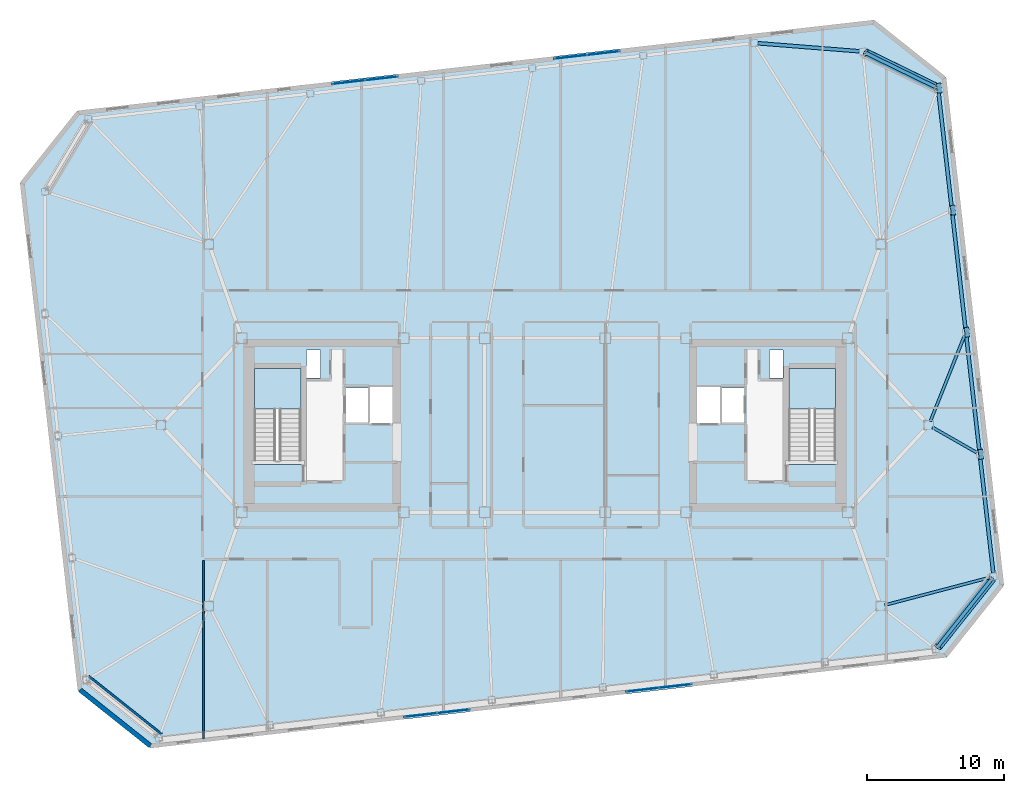
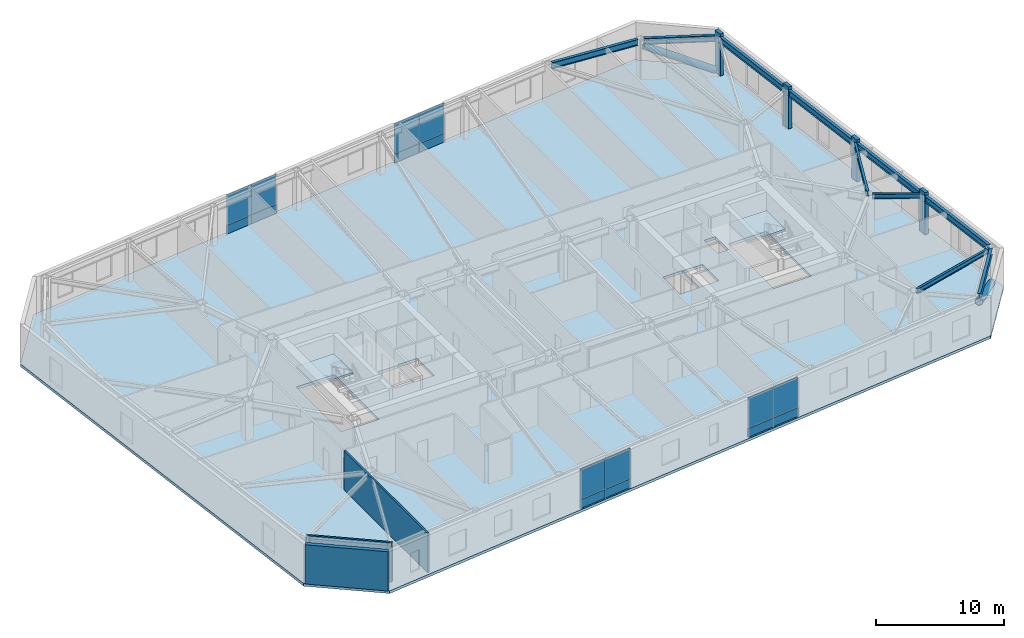
# One storey, part 11 of 19: 16 plates, 10 beams, 6 members, 3 slabs, 3 walls, 6 elements without a shape of their own.
"""IFC4 building model written with IfcOpenShell, lengths in metres."""

from ifc_helpers import new_model, si_unit, direction, frame, frame_2d, origin, origin_2d, place, context, subcontext, project, spatial, polyline, rectangle, hollow_circle, i_section, outline, extrude, material, layer, layer_set, material_profile, profile_set, type_object, element, aggregate, save


model = new_model("IFC4")

# Units and contexts
model_context = context("Model", 3, precision=1e-05, world=origin(), true_north=direction((0.0, 1.0)))
body_context = subcontext(model_context, "Body", "Model", "MODEL_VIEW")
ifc_project = project(units=[si_unit("LENGTHUNIT", "METRE"), si_unit("AREAUNIT", "SQUARE_METRE"), si_unit("VOLUMEUNIT", "CUBIC_METRE"), si_unit("PLANEANGLEUNIT", "RADIAN"), si_unit("MASSUNIT", "GRAM", prefix="KILO")], contexts=[model_context])

# Site, building, storey
site_placement = place(None, origin())
site = spatial("IfcSite", under=ifc_project, at=site_placement, CompositionType="ELEMENT")
building_placement = place(site_placement, origin())
building = spatial("IfcBuilding", under=site, at=building_placement, Name="Tavrogorsk Clinical Tower", CompositionType="ELEMENT")
storey_placement = place(building_placement, frame((0.0, 0.0, 263.0)))
storey = spatial("IfcBuildingStorey", under=building, at=storey_placement, Name="L61", CompositionType="ELEMENT", Elevation=263.0)

# Members
ifc_material_1 = material(Name="Structural steel S440", Category="steel")
ifc_material_profile_1 = material_profile(ifc_material_1, hollow_circle(Radius=0.304931640625, WallThickness=0.02490234375, at=origin_2d()), Name="CHS-610x25")
ifc_profile_set_1 = profile_set([ifc_material_profile_1], Name="Structural steel S440")
member_type_1 = type_object("IfcMemberType", Name="ExoBrace_CHS610", PredefinedType="BRACE", material=ifc_profile_set_1)
member_1_placement = place(storey_placement, frame((32.5859375, -11.2197265625, 0.398193359375), z_axis=(-0.575789482159, -0.723851679348, 0.380138420237), x_axis=(0.782601910855, -0.622522488852, 0.0)))
element("IfcMember", 1, at=member_1_placement, inside=storey, type_object=member_type_1, Name="L61 Corner Exoskeleton Brace S8-E1", PredefinedType="BRACE", context=body_context, shape_type="SweptSolid", body=[
    extrude(hollow_circle(Radius=0.304931640625, WallThickness=0.02490234375, at=origin_2d()), origin(), (0.0, 0.0, 1.0), 6.8232421875),
])
member_2_placement = place(storey_placement, frame((28.46630859375, 24.679443359375, 0.4072265625), z_axis=(-0.817526882464, 0.398699450942, 0.41555811178), x_axis=(-0.438340015424, -0.898809229413, 0.0)))
element("IfcMember", 2, at=member_2_placement, inside=storey, type_object=member_type_1, Name="L61 Corner Exoskeleton Brace E5-N1", PredefinedType="BRACE", context=body_context, shape_type="SweptSolid", body=[
    extrude(hollow_circle(Radius=0.304931640625, WallThickness=0.02490234375, at=origin_2d()), origin(), (0.0, 0.0, 1.0), 6.1982421875),
])

# Beams
ifc_material_2 = material(Name="Structural steel S355", Category="steel")
ifc_material_profile_2 = material_profile(ifc_material_2, i_section(OverallWidth=0.199951171875, OverallDepth=0.449951171875, WebThickness=0.011474609375, FlangeThickness=0.01806640625, at=origin_2d()), Name="B-450x200x11.5x18")
ifc_profile_set_2 = profile_set([ifc_material_profile_2], Name="Structural steel S355")
beam_type_1 = type_object("IfcBeamType", Name="FloorBeam_B450", PredefinedType="BEAM", material=ifc_profile_set_2)
beam_1_placement = place(storey_placement, frame((24.7998046875, -13.12109375, 3.514892578125), z_axis=(0.967072149487, 0.254502372652, 0.0), x_axis=(-0.254502372652, 0.967072149487, 0.0)))
element("IfcBeam", 3, at=beam_1_placement, inside=storey, type_object=beam_type_1, Name="L61 Radial Floor Beam E1", PredefinedType="BEAM", context=body_context, shape_type="SweptSolid", body=[
    extrude(i_section(OverallWidth=0.199951171875, OverallDepth=0.449951171875, WebThickness=0.011474609375, FlangeThickness=0.01806640625, at=origin_2d()), origin(), (0.0, 0.0, 1.0), 7.94677734375),
])
beam_2_placement = place(storey_placement, frame((28.26904296875, -0.154052734375, 3.514892578125), z_axis=(0.867782232017, -0.49694466271, 0.0), x_axis=(0.49694466271, 0.867782232017, 0.0)))
element("IfcBeam", 4, at=beam_2_placement, inside=storey, type_object=beam_type_1, Name="L61 Radial Floor Beam E2", PredefinedType="BEAM", context=body_context, shape_type="SweptSolid", body=[
    extrude(i_section(OverallWidth=0.199951171875, OverallDepth=0.449951171875, WebThickness=0.011474609375, FlangeThickness=0.01806640625, at=origin_2d()), origin(), (0.0, 0.0, 1.0), 3.718994140625),
])
beam_3_placement = place(storey_placement, frame((28.114990234375, 0.287841796875, 3.514892578125), z_axis=(0.371052625529, 0.928611839838, 0.0), x_axis=(-0.928611839838, 0.371052625529, 0.0)))
element("IfcBeam", 5, at=beam_3_placement, inside=storey, type_object=beam_type_1, Name="L61 Radial Floor Beam E3", PredefinedType="BEAM", context=body_context, shape_type="SweptSolid", body=[
    extrude(i_section(OverallWidth=0.199951171875, OverallDepth=0.449951171875, WebThickness=0.011474609375, FlangeThickness=0.01806640625, at=origin_2d()), origin(), (0.0, 0.0, 1.0), 6.724365234375),
])

# Members
ifc_material_3 = material(Name="Precast concrete B45 with limestone cladding", Category="masonry")
ifc_material_profile_3 = material_profile(ifc_material_3, rectangle(XDim=0.320068359375, YDim=0.719970703125, at=origin_2d()), Name="LIMESTONE-FIN-320x720")
ifc_profile_set_3 = profile_set([ifc_material_profile_3], Name="Precast concrete B45 with limestone cladding")
member_type_2 = type_object("IfcMemberType", Name="LimestonePleatFin_320x720", PredefinedType="USERDEFINED", material=ifc_profile_set_3)
for number, where, z_axis, x_axis, name in (
    (6, (31.799560546875, -2.121337890625, 0.0), (0.0, 0.0, 1.0), (0.993571855677, 0.113203213768, 0.0), "L61 E Pleated Stone Fin 1"),
    (7, (30.785400390625, 6.781005859375, 0.0), (0.0, 0.0, 1.0), (0.993571855677, 0.113203213768, 0.0), "L61 E Pleated Stone Fin 2"),
    (8, (29.77099609375, 15.683349609375, 0.0), (0.0, 0.0, 1.0), (0.993571855677, 0.113203213768, 0.0), "L61 E Pleated Stone Fin 3"),
    (9, (28.756591796875, 24.585693359375, 0.0), (0.0, 0.0, 1.0), (0.993571855677, 0.113203213768, 0.0), "L61 E Pleated Stone Fin 4"),
):
    element("IfcMember", number, at=place(storey_placement, frame(where, z_axis=z_axis, x_axis=x_axis)), inside=storey, type_object=member_type_2, Name=name, ObjectType="FIN", PredefinedType="USERDEFINED", context=body_context, shape_type="SweptSolid", body=[
        extrude(rectangle(XDim=0.320068359375, YDim=0.719970703125, at=origin_2d()), origin(), (0.0, 0.0, 1.0), 4.0),
    ])

# Beams
ifc_material_4 = material(Name="Structural steel S390", Category="steel")
ifc_material_profile_4 = material_profile(ifc_material_4, i_section(OverallWidth=0.260009765625, OverallDepth=0.60009765625, WebThickness=0.014892578125, FlangeThickness=0.02392578125, at=origin_2d()), Name="B-600x260x15x24")
ifc_profile_set_4 = profile_set([ifc_material_profile_4], Name="Structural steel S390")
beam_type_2 = type_object("IfcBeamType", Name="SpandrelBeam_B600", PredefinedType="SPANDREL", material=ifc_profile_set_4)
beam_4_placement = place(storey_placement, frame((28.669189453125, -16.1435546875, 3.43994140625), z_axis=(0.622513813188, 0.782608811853, 0.0), x_axis=(-0.782608811853, 0.622513813188, 0.0)))
element("IfcBeam", 10, at=beam_4_placement, inside=storey, type_object=beam_type_2, Name="L61 Perimeter Spandrel S8-E1", PredefinedType="SPANDREL", context=body_context, shape_type="SweptSolid", body=[
    extrude(i_section(OverallWidth=0.260009765625, OverallDepth=0.60009765625, WebThickness=0.014892578125, FlangeThickness=0.02392578125, at=origin_2d()), origin(), (0.0, 0.0, 1.0), 6.272216796875),
])
for number, where, z_axis, x_axis, name in (
    (11, (32.705078125, -10.776611328125, 3.43994140625), (-0.113191877531, 0.993573147212, 0.0), (-0.993573147212, -0.113191877531, 0.0), "L61 Perimeter Spandrel E1-E2"),
    (12, (31.69091796875, -1.874267578125, 3.43994140625), (-0.113191877531, 0.993573147212, 0.0), (-0.993573147212, -0.113191877531, 0.0), "L61 Perimeter Spandrel E2-E3"),
):
    element("IfcBeam", number, at=place(storey_placement, frame(where, z_axis=z_axis, x_axis=x_axis)), inside=storey, type_object=beam_type_2, Name=name, PredefinedType="SPANDREL", context=body_context, shape_type="SweptSolid", body=[
        extrude(i_section(OverallWidth=0.260009765625, OverallDepth=0.60009765625, WebThickness=0.014892578125, FlangeThickness=0.02392578125, at=origin_2d()), origin(), (0.0, 0.0, 1.0), 8.444091796875),
    ])
for number, where, z_axis, x_axis, name in (
    (13, (30.676513671875, 7.0283203125, 3.43994140625), (-0.113195129234, 0.99357277676, 0.0), (-0.99357277676, -0.113195129234, 0.0), "L61 Perimeter Spandrel E3-E4"),
    (14, (29.662353515625, 15.9306640625, 3.43994140625), (-0.113223671813, 0.993569524563, 0.0), (-0.993569524563, -0.113223671813, 0.0), "L61 Perimeter Spandrel E4-E5"),
):
    element("IfcBeam", number, at=place(storey_placement, frame(where, z_axis=z_axis, x_axis=x_axis)), inside=storey, type_object=beam_type_2, Name=name, PredefinedType="SPANDREL", context=body_context, shape_type="SweptSolid", body=[
        extrude(i_section(OverallWidth=0.260009765625, OverallDepth=0.60009765625, WebThickness=0.014892578125, FlangeThickness=0.02392578125, at=origin_2d()), origin(), (0.0, 0.0, 1.0), 8.44384765625),
    ])
beam_5_placement = place(storey_placement, frame((28.4453125, 24.689697265625, 3.43994140625), z_axis=(-0.898811248667, 0.438335874951, 0.0), x_axis=(-0.438335874951, -0.898811248667, 0.0)))
element("IfcBeam", 15, at=beam_5_placement, inside=storey, type_object=beam_type_2, Name="L61 Perimeter Spandrel E5-N1", PredefinedType="SPANDREL", context=body_context, shape_type="SweptSolid", body=[
    extrude(i_section(OverallWidth=0.260009765625, OverallDepth=0.60009765625, WebThickness=0.014892578125, FlangeThickness=0.02392578125, at=origin_2d()), origin(), (0.0, 0.0, 1.0), 5.5908203125),
])
beam_6_placement = place(storey_placement, frame((22.930908203125, 27.273681640625, 3.43994140625), z_axis=(-0.996881705424, 0.078910489738, 0.0), x_axis=(-0.078910489738, -0.996881705424, 0.0)))
element("IfcBeam", 16, at=beam_6_placement, inside=storey, type_object=beam_type_2, Name="L61 Perimeter Spandrel N1-N2", PredefinedType="SPANDREL", context=body_context, shape_type="SweptSolid", body=[
    extrude(i_section(OverallWidth=0.260009765625, OverallDepth=0.60009765625, WebThickness=0.014892578125, FlangeThickness=0.02392578125, at=origin_2d()), origin(), (0.0, 0.0, 1.0), 7.428466796875),
])

# Curtain wall, plates
ifc_material_5 = material(Name="Anodised aluminium and triple IGU glazing", Category="aluminium")
ifc_layer_1 = layer(ifc_material_5, 0.179931640625)
ifc_layer_set_1 = layer_set([ifc_layer_1], Name="Anodised aluminium and triple IGU glazing")
curtain_wall_type_1 = type_object("IfcCurtainWallType", Name="CW3_SouthSlot", PredefinedType="NOTDEFINED", material=ifc_layer_set_1)
curtain_wall_1_placement = place(storey_placement, origin())
curtain_wall_1 = element("IfcCurtainWall", 17, at=curtain_wall_1_placement, inside=storey, type_object=curtain_wall_type_1, Name="L61 Curtain Wall CW-L61-S-SLOT-1", PredefinedType="NOTDEFINED")
ifc_material_6 = material(Name="Honed Podolsk limestone spandrel panel", Category="masonry")
ifc_layer_2 = layer(ifc_material_6, 0.080078125)
ifc_layer_set_2 = layer_set([ifc_layer_2], Name="Honed Podolsk limestone spandrel panel")
plate_type_1 = type_object("IfcPlateType", Name="CwSpandrelStonePanel_80", PredefinedType="CURTAIN_PANEL", material=ifc_layer_set_2)
plate_1_placement = place(storey_placement, frame((-9.066650390625, -21.139892578125, 0.001953125), z_axis=(0.0, 0.0, 1.0), x_axis=(0.993571855603, 0.11320321441, 0.0)))
plate_1 = element("IfcPlate", 18, at=plate_1_placement, type_object=plate_type_1, Name="CW-L61-S-SLOT-1 Stone Spandrel Panel 1", PredefinedType="CURTAIN_PANEL", context=body_context, shape_type="SweptSolid", body=[
    extrude(rectangle(XDim=2.39208984375, YDim=0.080078125, at=origin_2d()), origin(), (0.0, 0.0, 1.0), 0.8359375),
])
plate_2_placement = place(storey_placement, frame((-6.666259765625, -20.866455078125, 0.001953125), z_axis=(0.0, 0.0, 1.0), x_axis=(0.993571855603, 0.11320321441, 0.0)))
plate_2 = element("IfcPlate", 19, at=plate_2_placement, type_object=plate_type_1, Name="CW-L61-S-SLOT-1 Stone Spandrel Panel 2", PredefinedType="CURTAIN_PANEL", context=body_context, shape_type="SweptSolid", body=[
    extrude(rectangle(XDim=2.39208984375, YDim=0.080078125, at=origin_2d()), origin(), (0.0, 0.0, 1.0), 0.8359375),
])

curtain_wall_2_placement = place(storey_placement, origin())
curtain_wall_2 = element("IfcCurtainWall", 20, at=curtain_wall_2_placement, inside=storey, type_object=curtain_wall_type_1, Name="L61 Curtain Wall CW-L61-S-SLOT-2", PredefinedType="NOTDEFINED")
plate_3_placement = place(storey_placement, frame((7.125732421875, -19.294921875, 0.001953125), z_axis=(0.0, 0.0, 1.0), x_axis=(0.993571855603, 0.11320321441, 0.0)))
plate_3 = element("IfcPlate", 21, at=plate_3_placement, type_object=plate_type_1, Name="CW-L61-S-SLOT-2 Stone Spandrel Panel 1", PredefinedType="CURTAIN_PANEL", context=body_context, shape_type="SweptSolid", body=[
    extrude(rectangle(XDim=2.39208984375, YDim=0.080078125, at=origin_2d()), origin(), (0.0, 0.0, 1.0), 0.8359375),
])
plate_4_placement = place(storey_placement, frame((9.526123046875, -19.021484375, 0.001953125), z_axis=(0.0, 0.0, 1.0), x_axis=(0.993571855603, 0.11320321441, 0.0)))
plate_4 = element("IfcPlate", 22, at=plate_4_placement, type_object=plate_type_1, Name="CW-L61-S-SLOT-2 Stone Spandrel Panel 2", PredefinedType="CURTAIN_PANEL", context=body_context, shape_type="SweptSolid", body=[
    extrude(rectangle(XDim=2.39208984375, YDim=0.080078125, at=origin_2d()), origin(), (0.0, 0.0, 1.0), 0.8359375),
])

ifc_material_7 = material(Name="Anodised aluminium and triple IGU glazing", Category="aluminium")
ifc_layer_3 = layer(ifc_material_7, 0.179931640625)
ifc_layer_set_3 = layer_set([ifc_layer_3], Name="Anodised aluminium and triple IGU glazing")
curtain_wall_type_2 = type_object("IfcCurtainWallType", Name="CW2_NorthSlot", PredefinedType="NOTDEFINED", material=ifc_layer_set_3)
curtain_wall_3_placement = place(storey_placement, origin())
curtain_wall_3 = element("IfcCurtainWall", 23, at=curtain_wall_3_placement, inside=storey, type_object=curtain_wall_type_2, Name="L61 Curtain Wall CW-L61-N-SLOT-1", PredefinedType="NOTDEFINED")
plate_5_placement = place(storey_placement, frame((-11.92578125, 25.294921875, 0.001953125), z_axis=(0.0, 0.0, 1.0), x_axis=(-0.993571855603, -0.11320321441, 0.0)))
plate_5 = element("IfcPlate", 24, at=plate_5_placement, type_object=plate_type_1, Name="CW-L61-N-SLOT-1 Stone Spandrel Panel 1", PredefinedType="CURTAIN_PANEL", context=body_context, shape_type="SweptSolid", body=[
    extrude(rectangle(XDim=2.39208984375, YDim=0.080078125, at=origin_2d()), origin(), (0.0, 0.0, 1.0), 0.8359375),
])
plate_6_placement = place(storey_placement, frame((-14.326171875, 25.021484375, 0.001953125), z_axis=(0.0, 0.0, 1.0), x_axis=(-0.993571855603, -0.11320321441, 0.0)))
plate_6 = element("IfcPlate", 25, at=plate_6_placement, type_object=plate_type_1, Name="CW-L61-N-SLOT-1 Stone Spandrel Panel 2", PredefinedType="CURTAIN_PANEL", context=body_context, shape_type="SweptSolid", body=[
    extrude(rectangle(XDim=2.39208984375, YDim=0.080078125, at=origin_2d()), origin(), (0.0, 0.0, 1.0), 0.8359375),
])

curtain_wall_4_placement = place(storey_placement, origin())
curtain_wall_4 = element("IfcCurtainWall", 26, at=curtain_wall_4_placement, inside=storey, type_object=curtain_wall_type_2, Name="L61 Curtain Wall CW-L61-N-SLOT-2", PredefinedType="NOTDEFINED")
plate_7_placement = place(storey_placement, frame((4.266845703125, 27.139892578125, 0.001953125), z_axis=(0.0, 0.0, 1.0), x_axis=(-0.993571855603, -0.11320321441, 0.0)))
plate_7 = element("IfcPlate", 27, at=plate_7_placement, type_object=plate_type_1, Name="CW-L61-N-SLOT-2 Stone Spandrel Panel 1", PredefinedType="CURTAIN_PANEL", context=body_context, shape_type="SweptSolid", body=[
    extrude(rectangle(XDim=2.39208984375, YDim=0.080078125, at=origin_2d()), origin(), (0.0, 0.0, 1.0), 0.8359375),
])
plate_8_placement = place(storey_placement, frame((1.8662109375, 26.866455078125, 0.001953125), z_axis=(0.0, 0.0, 1.0), x_axis=(-0.993571855603, -0.11320321441, 0.0)))
plate_8 = element("IfcPlate", 28, at=plate_8_placement, type_object=plate_type_1, Name="CW-L61-N-SLOT-2 Stone Spandrel Panel 2", PredefinedType="CURTAIN_PANEL", context=body_context, shape_type="SweptSolid", body=[
    extrude(rectangle(XDim=2.39208984375, YDim=0.080078125, at=origin_2d()), origin(), (0.0, 0.0, 1.0), 0.8359375),
])

# Plate
ifc_material_8 = material(Name="Triple low-E argon insulated glass", Category="glass")
ifc_layer_4 = layer(ifc_material_8, 0.048095703125)
ifc_layer_set_4 = layer_set([ifc_layer_4], Name="Triple low-E argon insulated glass")
plate_type_2 = type_object("IfcPlateType", Name="CwVisionGlassPanel_48", PredefinedType="CURTAIN_PANEL", material=ifc_layer_set_4)
plate_9_placement = place(storey_placement, frame((-9.066650390625, -21.139892578125, 0.862060546875), z_axis=(0.0, 0.0, 1.0), x_axis=(0.993571855603, 0.11320321441, 0.0)))
plate_9 = element("IfcPlate", 29, at=plate_9_placement, type_object=plate_type_2, Name="CW-L61-S-SLOT-1 Glazing Panel 1", PredefinedType="CURTAIN_PANEL", context=body_context, shape_type="SweptSolid", body=[
    extrude(rectangle(XDim=2.39208984375, YDim=0.048095703125, at=origin_2d()), origin(), (0.0, 0.0, 1.0), 2.8759765625),
])

plate_10_placement = place(storey_placement, frame((-6.666259765625, -20.866455078125, 0.862060546875), z_axis=(0.0, 0.0, 1.0), x_axis=(0.993571855603, 0.11320321441, 0.0)))
plate_10 = element("IfcPlate", 30, at=plate_10_placement, type_object=plate_type_2, Name="CW-L61-S-SLOT-1 Glazing Panel 2", PredefinedType="CURTAIN_PANEL", context=body_context, shape_type="SweptSolid", body=[
    extrude(rectangle(XDim=2.39208984375, YDim=0.048095703125, at=origin_2d()), origin(), (0.0, 0.0, 1.0), 2.8759765625),
])

aggregate(curtain_wall_1, [plate_1, plate_9, plate_2, plate_10])

plate_11_placement = place(storey_placement, frame((7.125732421875, -19.294921875, 0.862060546875), z_axis=(0.0, 0.0, 1.0), x_axis=(0.993571855603, 0.11320321441, 0.0)))
plate_11 = element("IfcPlate", 31, at=plate_11_placement, type_object=plate_type_2, Name="CW-L61-S-SLOT-2 Glazing Panel 1", PredefinedType="CURTAIN_PANEL", context=body_context, shape_type="SweptSolid", body=[
    extrude(rectangle(XDim=2.39208984375, YDim=0.048095703125, at=origin_2d()), origin(), (0.0, 0.0, 1.0), 2.8759765625),
])

plate_12_placement = place(storey_placement, frame((9.526123046875, -19.021484375, 0.862060546875), z_axis=(0.0, 0.0, 1.0), x_axis=(0.993571855603, 0.11320321441, 0.0)))
plate_12 = element("IfcPlate", 32, at=plate_12_placement, type_object=plate_type_2, Name="CW-L61-S-SLOT-2 Glazing Panel 2", PredefinedType="CURTAIN_PANEL", context=body_context, shape_type="SweptSolid", body=[
    extrude(rectangle(XDim=2.39208984375, YDim=0.048095703125, at=origin_2d()), origin(), (0.0, 0.0, 1.0), 2.8759765625),
])

aggregate(curtain_wall_2, [plate_3, plate_11, plate_4, plate_12])

plate_13_placement = place(storey_placement, frame((-11.92578125, 25.294921875, 0.862060546875), z_axis=(0.0, 0.0, 1.0), x_axis=(-0.993571855603, -0.11320321441, 0.0)))
plate_13 = element("IfcPlate", 33, at=plate_13_placement, type_object=plate_type_2, Name="CW-L61-N-SLOT-1 Glazing Panel 1", PredefinedType="CURTAIN_PANEL", context=body_context, shape_type="SweptSolid", body=[
    extrude(rectangle(XDim=2.39208984375, YDim=0.048095703125, at=origin_2d()), origin(), (0.0, 0.0, 1.0), 2.8759765625),
])

plate_14_placement = place(storey_placement, frame((-14.326171875, 25.021484375, 0.862060546875), z_axis=(0.0, 0.0, 1.0), x_axis=(-0.993571855603, -0.11320321441, 0.0)))
plate_14 = element("IfcPlate", 34, at=plate_14_placement, type_object=plate_type_2, Name="CW-L61-N-SLOT-1 Glazing Panel 2", PredefinedType="CURTAIN_PANEL", context=body_context, shape_type="SweptSolid", body=[
    extrude(rectangle(XDim=2.39208984375, YDim=0.048095703125, at=origin_2d()), origin(), (0.0, 0.0, 1.0), 2.8759765625),
])

aggregate(curtain_wall_3, [plate_5, plate_13, plate_6, plate_14])

plate_15_placement = place(storey_placement, frame((4.266845703125, 27.139892578125, 0.862060546875), z_axis=(0.0, 0.0, 1.0), x_axis=(-0.993571855603, -0.11320321441, 0.0)))
plate_15 = element("IfcPlate", 35, at=plate_15_placement, type_object=plate_type_2, Name="CW-L61-N-SLOT-2 Glazing Panel 1", PredefinedType="CURTAIN_PANEL", context=body_context, shape_type="SweptSolid", body=[
    extrude(rectangle(XDim=2.39208984375, YDim=0.048095703125, at=origin_2d()), origin(), (0.0, 0.0, 1.0), 2.8759765625),
])

plate_16_placement = place(storey_placement, frame((1.8662109375, 26.866455078125, 0.862060546875), z_axis=(0.0, 0.0, 1.0), x_axis=(-0.993571855603, -0.11320321441, 0.0)))
plate_16 = element("IfcPlate", 36, at=plate_16_placement, type_object=plate_type_2, Name="CW-L61-N-SLOT-2 Glazing Panel 2", PredefinedType="CURTAIN_PANEL", context=body_context, shape_type="SweptSolid", body=[
    extrude(rectangle(XDim=2.39208984375, YDim=0.048095703125, at=origin_2d()), origin(), (0.0, 0.0, 1.0), 2.8759765625),
])

aggregate(curtain_wall_4, [plate_7, plate_15, plate_8, plate_16])

# Stair, slab
ifc_material_9 = material(Name="Concrete B60", Category="concrete")
stair_type = type_object("IfcStairType", Name="CoreStairAssembly", PredefinedType="HALF_TURN_STAIR", material=ifc_material_9)
stair_1_placement = place(storey_placement, origin())
stair_1 = element("IfcStair", 37, at=stair_1_placement, inside=storey, type_object=stair_type, Name="L61 ST-W", PredefinedType="HALF_TURN_STAIR")
ifc_material_10 = material(Name="Concrete B60", Category="concrete")
ifc_layer_5 = layer(ifc_material_10, 0.199951171875)
ifc_layer_set_5 = layer_set([ifc_layer_5], Name="Concrete B60")
slab_type_1 = type_object("IfcSlabType", Name="StairLanding_200", PredefinedType="LANDING", material=ifc_layer_set_5)
slab_1_placement = place(storey_placement, frame((0.0, 0.0, 1.800048828125)))
slab_1 = element("IfcSlab", 38, at=slab_1_placement, type_object=slab_type_1, Name="ST-W landing 1", PredefinedType="LANDING", context=body_context, shape_type="SweptSolid", body=[
    extrude(outline(polyline([(-17.800048828125, 1.1650390625), (-17.800048828125, 4.125), (-21.199951171875, 4.125), (-21.199951171875, 1.1650390625), (-17.800048828125, 1.1650390625)])), origin(), (0.0, 0.0, 1.0), 0.199951171875),
])
aggregate(stair_1, [slab_1])

stair_2_placement = place(storey_placement, origin())
stair_2 = element("IfcStair", 39, at=stair_2_placement, inside=storey, type_object=stair_type, Name="L61 ST-E", PredefinedType="HALF_TURN_STAIR")
slab_2_placement = place(storey_placement, frame((0.0, 0.0, 1.800048828125)))
slab_2 = element("IfcSlab", 40, at=slab_2_placement, type_object=slab_type_1, Name="ST-E landing 1", PredefinedType="LANDING", context=body_context, shape_type="SweptSolid", body=[
    extrude(outline(polyline([(21.199951171875, 1.1650390625), (21.199951171875, 4.125), (17.800048828125, 4.125), (17.800048828125, 1.1650390625), (21.199951171875, 1.1650390625)])), origin(), (0.0, 0.0, 1.0), 0.199951171875),
])
aggregate(stair_2, [slab_2])

# Slab
ifc_material_11 = material(Name="Concrete B60", Category="concrete")
ifc_layer_6 = layer(ifc_material_11, 0.260009765625)
ifc_layer_set_6 = layer_set([ifc_layer_6], Name="Concrete B60")
slab_type_2 = type_object("IfcSlabType", Name="WardSlab_260", PredefinedType="FLOOR", material=ifc_layer_set_6)
slab_3_placement = place(storey_placement, frame((0.0, 0.0, -0.260009765625)))
element("IfcSlab", 41, at=slab_3_placement, inside=storey, type_object=slab_type_2, Name="L61 Structural Slab", PredefinedType="FLOOR", context=body_context, shape_type="SweptSolid", body=[
    extrude(outline(polyline([(-28.76318359375, -23.55517578125), (29.26123046875, -16.944091796875), (33.487060546875, -11.631591796875), (29.27587890625, 25.329345703125), (23.96337890625, 29.55517578125), (-34.061279296875, 22.944091796875), (-38.287109375, 17.631591796875), (-34.075927734375, -19.329345703125), (-28.76318359375, -23.55517578125)]), holes=[polyline([(-17.800048828125, -2.8798828125), (-17.800048828125, 4.125), (-21.199951171875, 4.125), (-21.199951171875, -2.8798828125), (-17.800048828125, -2.8798828125)]), polyline([(21.199951171875, -2.8798828125), (21.199951171875, 4.125), (17.800048828125, 4.125), (17.800048828125, -2.8798828125), (21.199951171875, -2.8798828125)]), polyline([(-14.6201171875, 0.169921875), (-12.860107421875, 0.169921875), (-12.860107421875, 2.72998046875), (-14.6201171875, 2.72998046875), (-14.6201171875, 0.169921875)]), polyline([(-12.840087890625, 0.1201171875), (-11.080078125, 0.1201171875), (-11.080078125, 2.780029296875), (-12.840087890625, 2.780029296875), (-12.840087890625, 0.1201171875)]), polyline([(12.860107421875, 0.169921875), (14.6201171875, 0.169921875), (14.6201171875, 2.72998046875), (12.860107421875, 2.72998046875), (12.860107421875, 0.169921875)]), polyline([(11.080078125, 0.1201171875), (12.840087890625, 0.1201171875), (12.840087890625, 2.780029296875), (11.080078125, 2.780029296875), (11.080078125, 0.1201171875)]), polyline([(-17.3798828125, 3.449951171875), (-16.3798828125, 3.449951171875), (-16.3798828125, 5.5), (-17.3798828125, 5.5), (-17.3798828125, 3.449951171875)]), polyline([(16.3798828125, 3.449951171875), (17.3798828125, 3.449951171875), (17.3798828125, 5.5), (16.3798828125, 5.5), (16.3798828125, 3.449951171875)])]), origin(), (0.0, 0.0, 1.0), 0.260009765625),
])

# Walls
ifc_material_12 = material(Name="Lightweight concrete blockwork B15", Category="masonry")
ifc_layer_7 = layer(ifc_material_12, 0.159912109375)
ifc_layer_set_7 = layer_set([ifc_layer_7], Name="Lightweight concrete blockwork B15")
wall_type_1 = type_object("IfcWallType", Name="PartitionWall_160", PredefinedType="PARTITIONING", material=ifc_layer_set_7)
wall_1_placement = place(storey_placement, frame((-33.265380859375, -18.310546875, 0.0), z_axis=(0.0, 0.0, 1.0), x_axis=(0.782602647064, -0.622521563328, 0.0)))
element("IfcWall", 42, at=wall_1_placement, inside=storey, type_object=wall_type_1, Name="L61 Corner Exoskeleton Brace Furring Wall 4", PredefinedType="PARTITIONING", context=body_context, shape_type="SweptSolid", body=[
    extrude(rectangle(XDim=6.788330078125, YDim=0.159912109375, at=frame_2d((3.39404296875, 0.0))), origin(), (0.0, 0.0, 1.0), 3.739990234375),
])
wall_2_placement = place(storey_placement, frame((-24.89990234375, -22.873291015625, 0.0), z_axis=(0.0, 0.0, 1.0), x_axis=(0.0, 1.0, 0.0)))
element("IfcWall", 43, at=wall_2_placement, inside=storey, type_object=wall_type_1, Name="L61 SW Wing Closure Partition", PredefinedType="PARTITIONING", context=body_context, shape_type="SweptSolid", body=[
    extrude(rectangle(XDim=13.00830078125, YDim=0.159912109375, at=frame_2d((6.504150390625, 0.0))), origin(), (0.0, 0.0, 1.0), 3.739990234375),
])
ifc_material_13 = material(Name="Precast concrete B45 with limestone cladding", Category="masonry")
ifc_layer_8 = layer(ifc_material_13, 0.340087890625)
ifc_layer_set_8 = layer_set([ifc_layer_8], Name="Precast concrete B45 with limestone cladding")
wall_type_2 = type_object("IfcWallType", Name="PrecastLimestoneWall_340", PredefinedType="STANDARD", material=ifc_layer_set_8)
wall_3_placement = place(storey_placement, frame((-33.906982421875, -19.31005859375, 0.0), z_axis=(0.0, 0.0, 1.0), x_axis=(0.782611787794, -0.622510071892, 0.0)))
element("IfcWall", 44, at=wall_3_placement, inside=storey, type_object=wall_type_2, Name="L61 Chamfered Corner Wall 4", PredefinedType="STANDARD", context=body_context, shape_type="SweptSolid", body=[
    extrude(rectangle(XDim=6.5478515625, YDim=0.340087890625, at=frame_2d((3.27392578125, 0.0))), origin(), (0.0, 0.0, 1.0), 3.739990234375),
])

save(model, "model.ifc")
